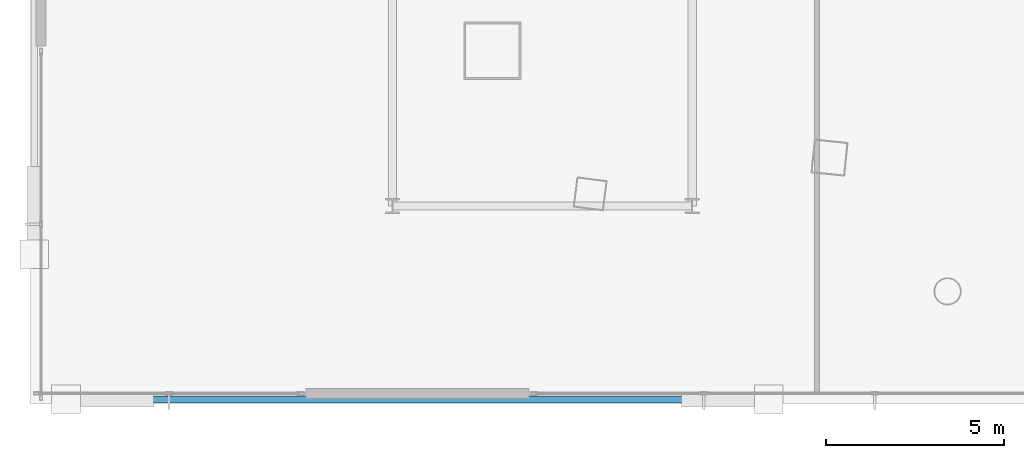
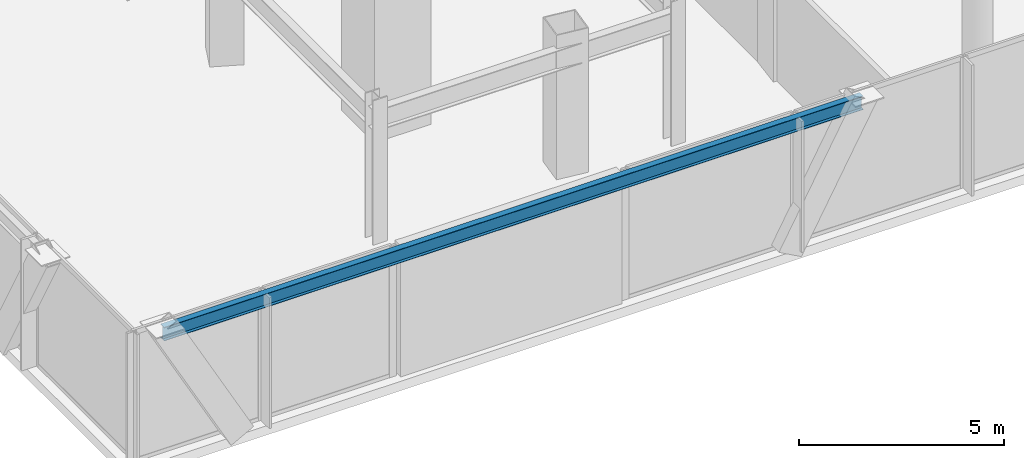
# One storey, part 3 of 46: 1 beam.
"""IFC4 building model written with IfcOpenShell, lengths in metres."""

from ifc_helpers import new_model, si_unit, direction, frame, origin, origin_2d, place, context, subcontext, project, spatial, i_section, extrude, material, material_profile, profile_set, type_object, element, save


model = new_model("IFC4")

# Units and contexts
model_context = context("Model", 3, precision=1e-05, world=origin(), true_north=direction((0.0, 1.0)))
body_context = subcontext(model_context, "Body", "Model", "MODEL_VIEW")
ifc_project = project(units=[si_unit("LENGTHUNIT", "METRE"), si_unit("AREAUNIT", "SQUARE_METRE"), si_unit("VOLUMEUNIT", "CUBIC_METRE"), si_unit("PLANEANGLEUNIT", "RADIAN"), si_unit("MASSUNIT", "GRAM", prefix="KILO")], contexts=[model_context])

# Site, building, storey
site_placement = place(None, origin())
site = spatial("IfcSite", under=ifc_project, at=site_placement, CompositionType="ELEMENT")
building_placement = place(site_placement, origin())
building = spatial("IfcBuilding", under=site, at=building_placement, Name="Orvanel Arch Residences", CompositionType="ELEMENT")
storey_placement = place(building_placement, frame((0.0, 0.0, 14.10009765625)))
storey = spatial("IfcBuildingStorey", under=building, at=storey_placement, Name="L03", CompositionType="ELEMENT", Elevation=14.10009765625)

# Beam
ifc_material = material(Name="Structural steel AS/NZS 3679.1 Grade 300 (300 MPa)", Category="steel")
ifc_material_profile = material_profile(ifc_material, i_section(OverallWidth=0.177978515625, OverallDepth=0.406005859375, WebThickness=0.0078125, FlangeThickness=0.0126953125, at=origin_2d()), Name="410UB59.7")
ifc_profile_set = profile_set([ifc_material_profile], Name="Structural steel AS/NZS 3679.1 Grade 300 (300 MPa)")
beam_type = type_object("IfcBeamType", Name="OB-410UB-EXT", PredefinedType="SPANDREL", material=ifc_profile_set)
beam_placement = place(storey_placement, frame((2.25, 0.580078125, 3.697021484375), z_axis=(1.0, 0.0, 0.0), x_axis=(0.0, 1.0, 0.0)))
element("IfcBeam", 1, at=beam_placement, inside=storey, type_object=beam_type, Name="L03 Podium V-Frame Collector Spandrel Beam SW", PredefinedType="SPANDREL", context=body_context, shape_type="SweptSolid", body=[
    extrude(i_section(OverallWidth=0.177978515625, OverallDepth=0.406005859375, WebThickness=0.0078125, FlangeThickness=0.0126953125, at=origin_2d()), origin(), (0.0, 0.0, 1.0), 19.699951171875),
])

save(model, "model.ifc")
